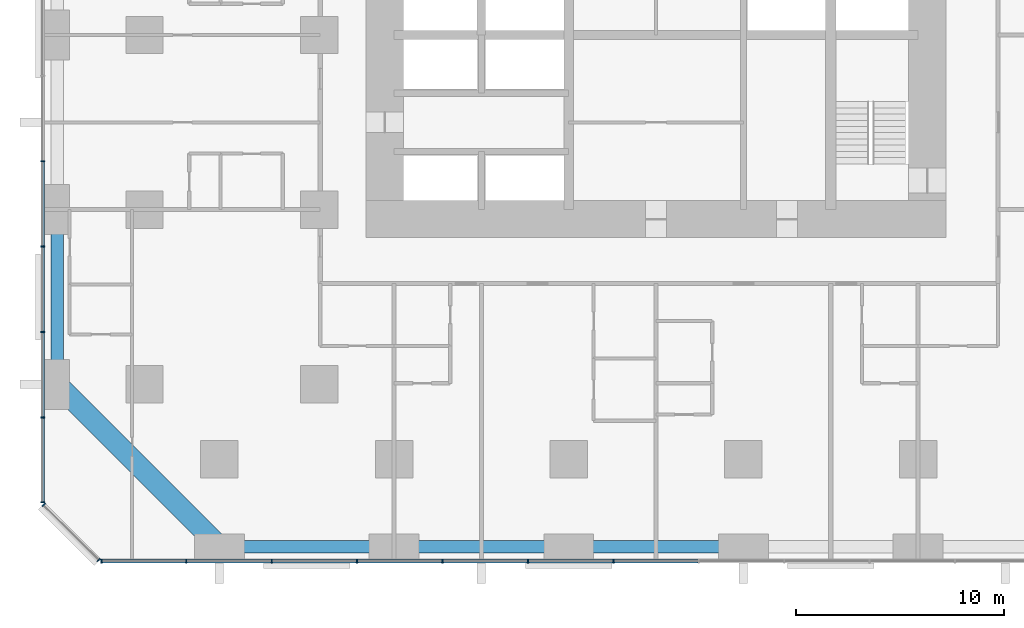
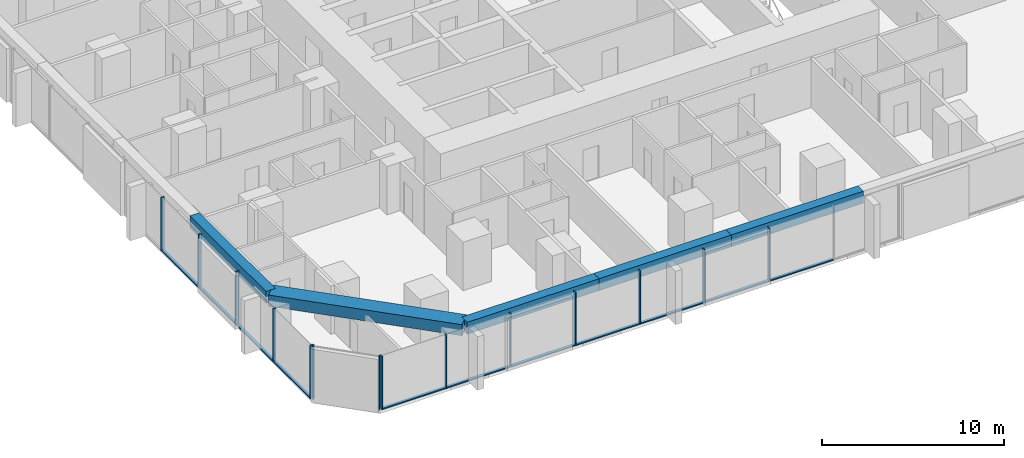
# One storey, part 2 of 17: 25 members, 5 beams, 3 elements without a shape of their own.
"""IFC4 building model written with IfcOpenShell, lengths in metres."""

import ifcopenshell
import ifcopenshell.guid

model = None  # the IFC model being written
_history = None  # IfcOwnerHistory: only IFC2X3 demands one
_inside = {}  # id of a spatial element -> (the spatial element, [elements in it])
_under = {}  # id of a project, library or spatial element -> (it, [spatial elements below it])
_declared = {}  # id of a project -> (the project, [libraries it declares])
_typed = {}  # id of a type object -> (the type object, [elements of that type])
_made_of = {}  # id of a material, layer set ... -> (it, [elements and type objects made of it])


def new_model(schema):
    """Start an empty IFC model of exactly this schema.

    Asked for "IFC4X3", IfcOpenShell would pick the latest addendum, in which some entities
    have other attributes; the version numbers below select the first issue.
    IFC2X3 requires an IfcOwnerHistory on every rooted entity: one is made here for all.
    """
    global model, _history
    if schema == "IFC4X3":
        model = ifcopenshell.file(schema_version=(4, 3, 0, 0))
    else:
        model = ifcopenshell.file(schema=schema)
    _inside.clear()
    _under.clear()
    _declared.clear()
    _typed.clear()
    _made_of.clear()
    _history = None
    if model.schema == "IFC2X3":
        org = make("IfcOrganization", Name="unknown")
        user = make(
            "IfcPersonAndOrganization",
            ThePerson=make("IfcPerson", FamilyName="unknown"),
            TheOrganization=org,
        )
        app = make(
            "IfcApplication",
            ApplicationDeveloper=org,
            Version="unknown",
            ApplicationFullName="unknown",
            ApplicationIdentifier="unknown",
        )
        _history = make(
            "IfcOwnerHistory",
            OwningUser=user,
            OwningApplication=app,
            ChangeAction="ADDED",
            CreationDate=0,
        )
    return model


def make(cls, **values):
    """One entity of the class cls with the attributes given. An attribute that is None is left unset."""
    return model.create_entity(
        cls, **{name: value for name, value in values.items() if value is not None}
    )


def rooted(cls, **values):
    """An entity with a GlobalId (a new one), such as an element, a storey or a relation."""
    return make(cls, GlobalId=ifcopenshell.guid.new(), OwnerHistory=_history, **values)


def si_unit(unit_type, name, prefix=None):
    """IfcSIUnit, for example si_unit("LENGTHUNIT", "METRE", prefix="MILLI")."""
    return make("IfcSIUnit", UnitType=unit_type, Prefix=prefix, Name=name)


def assignment(units):
    """IfcUnitAssignment: the units of a project."""
    return None if units is None else make("IfcUnitAssignment", Units=units)


def point(xyz):
    """IfcCartesianPoint."""
    return None if xyz is None else make("IfcCartesianPoint", Coordinates=xyz)


def direction(xyz):
    """IfcDirection."""
    return None if xyz is None else make("IfcDirection", DirectionRatios=xyz)


def frame(location, z_axis=None, x_axis=None):
    """IfcAxis2Placement3D, a coordinate frame: its origin and axes. An axis left out is left unset."""
    return make(
        "IfcAxis2Placement3D",
        Location=point(location),
        Axis=direction(z_axis),
        RefDirection=direction(x_axis),
    )


def frame_2d(location, x_axis=None):
    """IfcAxis2Placement2D, a coordinate frame in the plane: its origin and x axis."""
    return make(
        "IfcAxis2Placement2D", Location=point(location), RefDirection=direction(x_axis)
    )


def origin():
    """The frame at (0, 0, 0) with its axes left unset."""
    return frame((0.0, 0.0, 0.0))


def origin_2d():
    """The frame at (0, 0) in the plane with its x axis left unset."""
    return frame_2d((0.0, 0.0))


def place(relative_to, where):
    """IfcLocalPlacement: puts the frame where relative to a parent placement (None: the world)."""
    return make(
        "IfcLocalPlacement", PlacementRelTo=relative_to, RelativePlacement=where
    )


def context(
    kind, dimensions, precision=None, world=None, true_north=None, identifier=None
):
    """IfcGeometricRepresentationContext, for example the 3D "Model" context."""
    return make(
        "IfcGeometricRepresentationContext",
        ContextIdentifier=identifier,
        ContextType=kind,
        CoordinateSpaceDimension=dimensions,
        Precision=precision,
        WorldCoordinateSystem=world,
        TrueNorth=true_north,
    )


def subcontext(parent, identifier, kind, view, scale=None):
    """IfcGeometricRepresentationSubContext, for example "Body" below "Model"."""
    return make(
        "IfcGeometricRepresentationSubContext",
        ContextIdentifier=identifier,
        ContextType=kind,
        ParentContext=parent,
        TargetScale=scale,
        TargetView=view,
    )


def project(units=None, contexts=None):
    """IfcProject with its units and contexts."""
    return rooted(
        "IfcProject",
        Name="project",
        RepresentationContexts=contexts,
        UnitsInContext=assignment(units),
    )


def spatial(cls, under=None, at=None, **own):
    """A site, building, storey or space (cls), placed at a placement, below another one or the project."""
    s = rooted(cls, ObjectPlacement=at, **own)
    if under is not None:
        _under.setdefault(under.id(), (under, []))[1].append(s)
    return s


def profile(cls, at=None, kind="AREA", **sizes):
    """A parametric profile (cls). Its sizes go by their IFC names, for example OverallWidth=200.0."""
    return make(cls, ProfileType=kind, Position=at, **sizes)


def rectangle(**sizes):
    """IfcRectangleProfileDef."""
    return profile("IfcRectangleProfileDef", **sizes)


def extrude(swept, where, along, depth):
    """IfcExtrudedAreaSolid: the profile swept, set in the frame where, extruded along a direction by depth."""
    return make(
        "IfcExtrudedAreaSolid",
        SweptArea=swept,
        Position=where,
        ExtrudedDirection=direction(along),
        Depth=depth,
    )


def shape(context_of_items, identifier, shape_type, items):
    """IfcShapeRepresentation: the items that make up one representation, for example the "Body"."""
    return make(
        "IfcShapeRepresentation",
        ContextOfItems=context_of_items,
        RepresentationIdentifier=identifier,
        RepresentationType=shape_type,
        Items=items,
    )


def material(Name=None, Category=None):
    """IfcMaterial."""
    return make("IfcMaterial", Name=Name, Category=Category)


def material_profile(
    of_material, cross_section, Name=None, Category=None, Priority=None
):
    """IfcMaterialProfile: a cross section and its material."""
    return make(
        "IfcMaterialProfile",
        Name=Name,
        Material=of_material,
        Profile=cross_section,
        Priority=Priority,
        Category=Category,
    )


def profile_set(profiles, Name=None, composite=None):
    """IfcMaterialProfileSet."""
    return make(
        "IfcMaterialProfileSet",
        Name=Name,
        MaterialProfiles=profiles,
        CompositeProfile=composite,
    )


def made_of(thing, what):
    """Note that an element or type object is made of a material, layer set ...; save() writes the relation."""
    if what is not None:
        _made_of.setdefault(what.id(), (what, []))[1].append(thing)
    return thing


def type_object(cls, material=None, **own):
    """A type object (cls), such as IfcWallType, which elements share."""
    return made_of(rooted(cls, **own), material)


def element(
    cls,
    number,
    at=None,
    inside=None,
    cuts=None,
    type_object=None,
    material=None,
    context=None,
    identifier="Body",
    shape_type=None,
    held_by="IfcProductDefinitionShape",
    body=None,
    shapes=None,
    **own,
):
    """One element of the class cls, such as IfcWall. Its Tag is "e" and its number.

    at: its placement. inside: the storey or other place that contains it. cuts: it is an
    opening in that element (IfcRelVoidsElement). A single representation is given by context,
    identifier, shape_type and body (its items); several are given by shapes. held_by: the class
    of the entity that holds the representations. save() writes the other relations.
    """
    e = rooted(cls, Tag="e%d" % number, ObjectPlacement=at, **own)
    if body is not None:
        shapes = [shape(context, identifier, shape_type, body)]
    if shapes is not None:
        e.Representation = make(held_by, Representations=shapes)
    if inside is not None:
        _inside.setdefault(inside.id(), (inside, []))[1].append(e)
    if cuts is not None:
        rooted(
            "IfcRelVoidsElement", RelatingBuildingElement=cuts, RelatedOpeningElement=e
        )
    if type_object is not None:
        _typed.setdefault(type_object.id(), (type_object, []))[1].append(e)
    return made_of(e, material)


def aggregate(whole, parts):
    """IfcRelAggregates: a whole, such as a stair, and the parts it consists of."""
    return rooted("IfcRelAggregates", RelatingObject=whole, RelatedObjects=parts)


def save(model, path):
    """Write the relations noted so far, then the file.

    IfcRelAggregates (storeys below a building ...), IfcRelContainedInSpatialStructure (elements
    in a storey), IfcRelDefinesByType, IfcRelAssociatesMaterial and IfcRelDeclares: one each for
    every whole, place, type object, material and project.
    """
    for whole, parts in _under.values():
        aggregate(whole, parts)
    for where, things in _inside.values():
        rooted(
            "IfcRelContainedInSpatialStructure",
            RelatedElements=things,
            RelatingStructure=where,
        )
    for kind, things in _typed.values():
        rooted("IfcRelDefinesByType", RelatedObjects=things, RelatingType=kind)
    for what, things in _made_of.values():
        rooted("IfcRelAssociatesMaterial", RelatedObjects=things, RelatingMaterial=what)
    for by, libraries in _declared.values():
        rooted("IfcRelDeclares", RelatingContext=by, RelatedDefinitions=libraries)
    model.write(path)


model = new_model("IFC4")

# Units and contexts
model_context = context("Model", 3, precision=1e-05, world=origin(), true_north=direction((0.0, 1.0)))
body_context = subcontext(model_context, "Body", "Model", "MODEL_VIEW")
ifc_project = project(units=[si_unit("LENGTHUNIT", "METRE"), si_unit("AREAUNIT", "SQUARE_METRE"), si_unit("VOLUMEUNIT", "CUBIC_METRE"), si_unit("PLANEANGLEUNIT", "RADIAN"), si_unit("MASSUNIT", "GRAM", prefix="KILO")], contexts=[model_context])

# Site, building, storey
site_placement = place(None, origin())
site = spatial("IfcSite", under=ifc_project, at=site_placement, CompositionType="ELEMENT")
building_placement = place(site_placement, origin())
building = spatial("IfcBuilding", under=site, at=building_placement, Name="Dunama Terrace Hotel", CompositionType="ELEMENT")
storey_placement = place(building_placement, frame((0.0, 0.0, 41.39990234375)))
storey = spatial("IfcBuildingStorey", under=building, at=storey_placement, Name="L09", CompositionType="ELEMENT", Elevation=41.39990234375)

# Curtain wall, members
ifc_material_1 = material(Name="Aluminium curtain wall system", Category="aluminium")
curtain_wall_type = type_object("IfcCurtainWallType", Name="Unitised fritted glass wall CW-A", PredefinedType="NOTDEFINED", material=ifc_material_1)
curtain_wall_1_placement = place(storey_placement, origin())
curtain_wall_1 = element("IfcCurtainWall", 1, at=curtain_wall_1_placement, inside=storey, type_object=curtain_wall_type, Name="Unitised fritted glass wall CW-A L09", PredefinedType="NOTDEFINED")
ifc_material_2 = material(Name="Aluminium mullion", Category="aluminium")
ifc_material_profile_1 = material_profile(ifc_material_2, rectangle(XDim=0.06494140625, YDim=0.199951171875, at=origin_2d()), Name="CWA MULLION 65X200")
ifc_profile_set_1 = profile_set([ifc_material_profile_1], Name="Aluminium mullion")
member_type_1 = type_object("IfcMemberType", Name="CWA mullion 65x200", PredefinedType="MULLION", material=ifc_profile_set_1)
member_1_placement = place(storey_placement, frame((2.73291015625, -0.10009765625, 0.0), z_axis=(0.0, 0.0, 1.0), x_axis=(1.0, 0.0, 0.0)))
member_1 = element("IfcMember", 2, at=member_1_placement, type_object=member_type_1, Name="CWA mullion", PredefinedType="MULLION", context=body_context, shape_type="SweptSolid", body=[
    extrude(rectangle(XDim=0.06494140625, YDim=0.199951171875, at=origin_2d()), origin(), (0.0, 0.0, 1.0), 3.60009765625),
])
member_2_placement = place(storey_placement, frame((6.80810546875, -0.10009765625, 0.0), z_axis=(0.0, 0.0, 1.0), x_axis=(1.0, 0.0, 0.0)))
member_2 = element("IfcMember", 3, at=member_2_placement, type_object=member_type_1, Name="CWA mullion", PredefinedType="MULLION", context=body_context, shape_type="SweptSolid", body=[
    extrude(rectangle(XDim=0.06494140625, YDim=0.199951171875, at=origin_2d()), origin(), (0.0, 0.0, 1.0), 3.60009765625),
])
member_3_placement = place(storey_placement, frame((10.9150390625, -0.10009765625, 0.0), z_axis=(0.0, 0.0, 1.0), x_axis=(1.0, 0.0, 0.0)))
member_3 = element("IfcMember", 4, at=member_3_placement, type_object=member_type_1, Name="CWA mullion", PredefinedType="MULLION", context=body_context, shape_type="SweptSolid", body=[
    extrude(rectangle(XDim=0.06494140625, YDim=0.199951171875, at=origin_2d()), origin(), (0.0, 0.0, 1.0), 3.60009765625),
])
member_4_placement = place(storey_placement, frame((15.02294921875, -0.10009765625, 0.0), z_axis=(0.0, 0.0, 1.0), x_axis=(1.0, 0.0, 0.0)))
member_4 = element("IfcMember", 5, at=member_4_placement, type_object=member_type_1, Name="CWA mullion", PredefinedType="MULLION", context=body_context, shape_type="SweptSolid", body=[
    extrude(rectangle(XDim=0.06494140625, YDim=0.199951171875, at=origin_2d()), origin(), (0.0, 0.0, 1.0), 3.60009765625),
])
member_5_placement = place(storey_placement, frame((19.131103515625, -0.10009765625, 0.0), z_axis=(0.0, 0.0, 1.0), x_axis=(1.0, 0.0, 0.0)))
member_5 = element("IfcMember", 6, at=member_5_placement, type_object=member_type_1, Name="CWA mullion", PredefinedType="MULLION", context=body_context, shape_type="SweptSolid", body=[
    extrude(rectangle(XDim=0.06494140625, YDim=0.199951171875, at=origin_2d()), origin(), (0.0, 0.0, 1.0), 3.60009765625),
])
member_6_placement = place(storey_placement, frame((23.238037109375, -0.10009765625, 0.0), z_axis=(0.0, 0.0, 1.0), x_axis=(1.0, 0.0, 0.0)))
member_6 = element("IfcMember", 7, at=member_6_placement, type_object=member_type_1, Name="CWA mullion", PredefinedType="MULLION", context=body_context, shape_type="SweptSolid", body=[
    extrude(rectangle(XDim=0.06494140625, YDim=0.199951171875, at=origin_2d()), origin(), (0.0, 0.0, 1.0), 3.60009765625),
])
member_7_placement = place(storey_placement, frame((27.345947265625, -0.10009765625, 0.0), z_axis=(0.0, 0.0, 1.0), x_axis=(1.0, 0.0, 0.0)))
member_7 = element("IfcMember", 8, at=member_7_placement, type_object=member_type_1, Name="CWA mullion", PredefinedType="MULLION", context=body_context, shape_type="SweptSolid", body=[
    extrude(rectangle(XDim=0.06494140625, YDim=0.199951171875, at=origin_2d()), origin(), (0.0, 0.0, 1.0), 3.60009765625),
])

curtain_wall_2_placement = place(storey_placement, origin())
curtain_wall_2 = element("IfcCurtainWall", 9, at=curtain_wall_2_placement, inside=storey, type_object=curtain_wall_type, Name="Unitised fritted glass wall CW-A L09", PredefinedType="NOTDEFINED")
member_8_placement = place(storey_placement, frame((-0.10009765625, 19.131103515625, 0.0), z_axis=(0.0, 0.0, 1.0), x_axis=(0.0, -1.0, 0.0)))
member_8 = element("IfcMember", 10, at=member_8_placement, type_object=member_type_1, Name="CWA mullion", PredefinedType="MULLION", context=body_context, shape_type="SweptSolid", body=[
    extrude(rectangle(XDim=0.06494140625, YDim=0.199951171875, at=origin_2d()), origin(), (0.0, 0.0, 1.0), 3.60009765625),
])
member_9_placement = place(storey_placement, frame((-0.10009765625, 15.02294921875, 0.0), z_axis=(0.0, 0.0, 1.0), x_axis=(0.0, -1.0, 0.0)))
member_9 = element("IfcMember", 11, at=member_9_placement, type_object=member_type_1, Name="CWA mullion", PredefinedType="MULLION", context=body_context, shape_type="SweptSolid", body=[
    extrude(rectangle(XDim=0.06494140625, YDim=0.199951171875, at=origin_2d()), origin(), (0.0, 0.0, 1.0), 3.60009765625),
])
member_10_placement = place(storey_placement, frame((-0.10009765625, 10.9150390625, 0.0), z_axis=(0.0, 0.0, 1.0), x_axis=(0.0, -1.0, 0.0)))
member_10 = element("IfcMember", 12, at=member_10_placement, type_object=member_type_1, Name="CWA mullion", PredefinedType="MULLION", context=body_context, shape_type="SweptSolid", body=[
    extrude(rectangle(XDim=0.06494140625, YDim=0.199951171875, at=origin_2d()), origin(), (0.0, 0.0, 1.0), 3.60009765625),
])
member_11_placement = place(storey_placement, frame((-0.10009765625, 6.80810546875, 0.0), z_axis=(0.0, 0.0, 1.0), x_axis=(0.0, -1.0, 0.0)))
member_11 = element("IfcMember", 13, at=member_11_placement, type_object=member_type_1, Name="CWA mullion", PredefinedType="MULLION", context=body_context, shape_type="SweptSolid", body=[
    extrude(rectangle(XDim=0.06494140625, YDim=0.199951171875, at=origin_2d()), origin(), (0.0, 0.0, 1.0), 3.60009765625),
])
member_12_placement = place(storey_placement, frame((-0.10009765625, 2.73291015625, 0.0), z_axis=(0.0, 0.0, 1.0), x_axis=(0.0, -1.0, 0.0)))
member_12 = element("IfcMember", 14, at=member_12_placement, type_object=member_type_1, Name="CWA mullion", PredefinedType="MULLION", context=body_context, shape_type="SweptSolid", body=[
    extrude(rectangle(XDim=0.06494140625, YDim=0.199951171875, at=origin_2d()), origin(), (0.0, 0.0, 1.0), 3.60009765625),
])

curtain_wall_3_placement = place(storey_placement, origin())
curtain_wall_3 = element("IfcCurtainWall", 15, at=curtain_wall_3_placement, inside=storey, type_object=curtain_wall_type, Name="Unitised fritted glass wall CW-A L09", PredefinedType="NOTDEFINED")
member_13_placement = place(storey_placement, frame((-0.048095703125, 2.60595703125, 0.0), z_axis=(0.0, 0.0, 1.0), x_axis=(0.707106781187, -0.707106781187, 0.0)))
member_13 = element("IfcMember", 16, at=member_13_placement, type_object=member_type_1, Name="CWA mullion", PredefinedType="MULLION", context=body_context, shape_type="SweptSolid", body=[
    extrude(rectangle(XDim=0.06494140625, YDim=0.199951171875, at=origin_2d()), origin(), (0.0, 0.0, 1.0), 3.60009765625),
])
member_14_placement = place(storey_placement, frame((2.60595703125, -0.048095703125, 0.0), z_axis=(0.0, 0.0, 1.0), x_axis=(0.707106781187, -0.707106781187, 0.0)))
member_14 = element("IfcMember", 17, at=member_14_placement, type_object=member_type_1, Name="CWA mullion", PredefinedType="MULLION", context=body_context, shape_type="SweptSolid", body=[
    extrude(rectangle(XDim=0.06494140625, YDim=0.199951171875, at=origin_2d()), origin(), (0.0, 0.0, 1.0), 3.60009765625),
])
aggregate(curtain_wall_3, [member_13, member_14])

# Member
ifc_material_3 = material(Name="Aluminium transom", Category="aluminium")
ifc_material_profile_2 = material_profile(ifc_material_3, rectangle(XDim=0.179931640625, YDim=0.074951171875, at=origin_2d()), Name="CWA TRANSOM 180X75")
ifc_profile_set_2 = profile_set([ifc_material_profile_2], Name="Aluminium transom")
member_type_2 = type_object("IfcMemberType", Name="CWA transom 180x75", PredefinedType="USERDEFINED", material=ifc_profile_set_2)
member_15_placement = place(storey_placement, frame((2.764892578125, -0.10009765625, 0.03759765625), z_axis=(1.0, 0.0, 0.0), x_axis=(0.0, 1.0, 0.0)))
member_15 = element("IfcMember", 18, at=member_15_placement, type_object=member_type_2, Name="CWA transom", ObjectType="TRANSOM", PredefinedType="USERDEFINED", context=body_context, shape_type="SweptSolid", body=[
    extrude(rectangle(XDim=0.179931640625, YDim=0.074951171875, at=origin_2d()), origin(), (0.0, 0.0, 1.0), 4.010009765625),
])

member_16_placement = place(storey_placement, frame((6.840087890625, -0.10009765625, 0.03759765625), z_axis=(1.0, 0.0, 0.0), x_axis=(0.0, 1.0, 0.0)))
member_16 = element("IfcMember", 19, at=member_16_placement, type_object=member_type_2, Name="CWA transom", ObjectType="TRANSOM", PredefinedType="USERDEFINED", context=body_context, shape_type="SweptSolid", body=[
    extrude(rectangle(XDim=0.179931640625, YDim=0.074951171875, at=origin_2d()), origin(), (0.0, 0.0, 1.0), 4.04296875),
])

member_17_placement = place(storey_placement, frame((10.947998046875, -0.10009765625, 0.03759765625), z_axis=(1.0, 0.0, 0.0), x_axis=(0.0, 1.0, 0.0)))
member_17 = element("IfcMember", 20, at=member_17_placement, type_object=member_type_2, Name="CWA transom", ObjectType="TRANSOM", PredefinedType="USERDEFINED", context=body_context, shape_type="SweptSolid", body=[
    extrude(rectangle(XDim=0.179931640625, YDim=0.074951171875, at=origin_2d()), origin(), (0.0, 0.0, 1.0), 4.04296875),
])

member_18_placement = place(storey_placement, frame((15.055908203125, -0.10009765625, 0.03759765625), z_axis=(1.0, 0.0, 0.0), x_axis=(0.0, 1.0, 0.0)))
member_18 = element("IfcMember", 21, at=member_18_placement, type_object=member_type_2, Name="CWA transom", ObjectType="TRANSOM", PredefinedType="USERDEFINED", context=body_context, shape_type="SweptSolid", body=[
    extrude(rectangle(XDim=0.179931640625, YDim=0.074951171875, at=origin_2d()), origin(), (0.0, 0.0, 1.0), 4.0419921875),
])

member_19_placement = place(storey_placement, frame((19.1630859375, -0.10009765625, 0.03759765625), z_axis=(1.0, 0.0, 0.0), x_axis=(0.0, 1.0, 0.0)))
member_19 = element("IfcMember", 22, at=member_19_placement, type_object=member_type_2, Name="CWA transom", ObjectType="TRANSOM", PredefinedType="USERDEFINED", context=body_context, shape_type="SweptSolid", body=[
    extrude(rectangle(XDim=0.179931640625, YDim=0.074951171875, at=origin_2d()), origin(), (0.0, 0.0, 1.0), 4.04296875),
])

member_20_placement = place(storey_placement, frame((23.27099609375, -0.10009765625, 0.03759765625), z_axis=(1.0, 0.0, 0.0), x_axis=(0.0, 1.0, 0.0)))
member_20 = element("IfcMember", 23, at=member_20_placement, type_object=member_type_2, Name="CWA transom", ObjectType="TRANSOM", PredefinedType="USERDEFINED", context=body_context, shape_type="SweptSolid", body=[
    extrude(rectangle(XDim=0.179931640625, YDim=0.074951171875, at=origin_2d()), origin(), (0.0, 0.0, 1.0), 4.04296875),
])

member_21_placement = place(storey_placement, frame((27.37890625, -0.10009765625, 0.03759765625), z_axis=(1.0, 0.0, 0.0), x_axis=(0.0, 1.0, 0.0)))
member_21 = element("IfcMember", 24, at=member_21_placement, type_object=member_type_2, Name="CWA transom", ObjectType="TRANSOM", PredefinedType="USERDEFINED", context=body_context, shape_type="SweptSolid", body=[
    extrude(rectangle(XDim=0.179931640625, YDim=0.074951171875, at=origin_2d()), origin(), (0.0, 0.0, 1.0), 4.0419921875),
])

aggregate(curtain_wall_1, [member_1, member_2, member_3, member_4, member_5, member_6, member_7, member_15, member_16, member_17, member_18, member_19, member_20, member_21])

member_22_placement = place(storey_placement, frame((-0.10009765625, 19.097900390625, 0.03759765625), z_axis=(0.0, -1.0, 0.0), x_axis=(1.0, 0.0, 0.0)))
member_22 = element("IfcMember", 25, at=member_22_placement, type_object=member_type_2, Name="CWA transom", ObjectType="TRANSOM", PredefinedType="USERDEFINED", context=body_context, shape_type="SweptSolid", body=[
    extrude(rectangle(XDim=0.179931640625, YDim=0.074951171875, at=origin_2d()), origin(), (0.0, 0.0, 1.0), 4.0419921875),
])

member_23_placement = place(storey_placement, frame((-0.10009765625, 14.990966796875, 0.03759765625), z_axis=(0.0, -1.0, 0.0), x_axis=(1.0, 0.0, 0.0)))
member_23 = element("IfcMember", 26, at=member_23_placement, type_object=member_type_2, Name="CWA transom", ObjectType="TRANSOM", PredefinedType="USERDEFINED", context=body_context, shape_type="SweptSolid", body=[
    extrude(rectangle(XDim=0.179931640625, YDim=0.074951171875, at=origin_2d()), origin(), (0.0, 0.0, 1.0), 4.04296875),
])

member_24_placement = place(storey_placement, frame((-0.10009765625, 10.883056640625, 0.03759765625), z_axis=(0.0, -1.0, 0.0), x_axis=(1.0, 0.0, 0.0)))
member_24 = element("IfcMember", 27, at=member_24_placement, type_object=member_type_2, Name="CWA transom", ObjectType="TRANSOM", PredefinedType="USERDEFINED", context=body_context, shape_type="SweptSolid", body=[
    extrude(rectangle(XDim=0.179931640625, YDim=0.074951171875, at=origin_2d()), origin(), (0.0, 0.0, 1.0), 4.04296875),
])

member_25_placement = place(storey_placement, frame((-0.10009765625, 6.77490234375, 0.03759765625), z_axis=(0.0, -1.0, 0.0), x_axis=(1.0, 0.0, 0.0)))
member_25 = element("IfcMember", 28, at=member_25_placement, type_object=member_type_2, Name="CWA transom", ObjectType="TRANSOM", PredefinedType="USERDEFINED", context=body_context, shape_type="SweptSolid", body=[
    extrude(rectangle(XDim=0.179931640625, YDim=0.074951171875, at=origin_2d()), origin(), (0.0, 0.0, 1.0), 4.010009765625),
])

aggregate(curtain_wall_2, [member_8, member_9, member_10, member_11, member_12, member_22, member_23, member_24, member_25])

# Beams
ifc_material_4 = material(Name="Concrete C50/60", Category="concrete")
ifc_material_profile_3 = material_profile(ifc_material_4, rectangle(XDim=1.0, YDim=0.75, at=origin_2d()), Name="RC 1000x750")
ifc_profile_set_3 = profile_set([ifc_material_profile_3], Name="Concrete C50/60")
beam_type_1 = type_object("IfcBeamType", Name="Edge beam RC 1000x750", PredefinedType="SPANDREL", material=ifc_profile_set_3)
beam_1_placement = place(storey_placement, frame((8.39990234375, 0.60009765625, 3.22509765625), z_axis=(-0.707106781187, 0.707106781187, 0.0), x_axis=(-0.707106781187, -0.707106781187, 0.0)))
element("IfcBeam", 29, at=beam_1_placement, inside=storey, type_object=beam_type_1, Name="Corner edge beam under L10", PredefinedType="SPANDREL", context=body_context, shape_type="SweptSolid", body=[
    extrude(rectangle(XDim=1.0, YDim=0.75, at=origin_2d()), origin(), (0.0, 0.0, 1.0), 11.030517578125),
])
ifc_material_5 = material(Name="Concrete C40/50", Category="concrete")
ifc_material_profile_4 = material_profile(ifc_material_5, rectangle(XDim=0.60009765625, YDim=0.800048828125, at=origin_2d()), Name="RC 600x800")
ifc_profile_set_4 = profile_set([ifc_material_profile_4], Name="Concrete C40/50")
beam_type_2 = type_object("IfcBeamType", Name="Edge beam RC 600x800", PredefinedType="SPANDREL", material=ifc_profile_set_4)
for number, where, z_axis, x_axis, name in (
    (30, (0.60009765625, 8.39990234375, 3.2001953125), (0.0, 1.0, 0.0), (-1.0, 0.0, 0.0), "Edge beam under L10"),
    (31, (8.39990234375, 0.60009765625, 3.2001953125), (1.0, 0.0, 0.0), (0.0, 1.0, 0.0), "Edge beam under L10"),
):
    element("IfcBeam", number, at=place(storey_placement, frame(where, z_axis=z_axis, x_axis=x_axis)), inside=storey, type_object=beam_type_2, Name=name, PredefinedType="SPANDREL", context=body_context, shape_type="SweptSolid", body=[
        extrude(rectangle(XDim=0.60009765625, YDim=0.800048828125, at=origin_2d()), origin(), (0.0, 0.0, 1.0), 8.400146484375),
    ])
beam_2_placement = place(storey_placement, frame((16.800048828125, 0.60009765625, 3.2001953125), z_axis=(1.0, 0.0, 0.0), x_axis=(0.0, 1.0, 0.0)))
element("IfcBeam", 32, at=beam_2_placement, inside=storey, type_object=beam_type_2, Name="Edge beam under L10", PredefinedType="SPANDREL", context=body_context, shape_type="SweptSolid", body=[
    extrude(rectangle(XDim=0.60009765625, YDim=0.800048828125, at=origin_2d()), origin(), (0.0, 0.0, 1.0), 8.39990234375),
])
beam_3_placement = place(storey_placement, frame((25.199951171875, 0.60009765625, 3.2001953125), z_axis=(1.0, 0.0, 0.0), x_axis=(0.0, 1.0, 0.0)))
element("IfcBeam", 33, at=beam_3_placement, inside=storey, type_object=beam_type_2, Name="Edge beam under L10", PredefinedType="SPANDREL", context=body_context, shape_type="SweptSolid", body=[
    extrude(rectangle(XDim=0.60009765625, YDim=0.800048828125, at=origin_2d()), origin(), (0.0, 0.0, 1.0), 8.400146484375),
])

save(model, "model.ifc")
